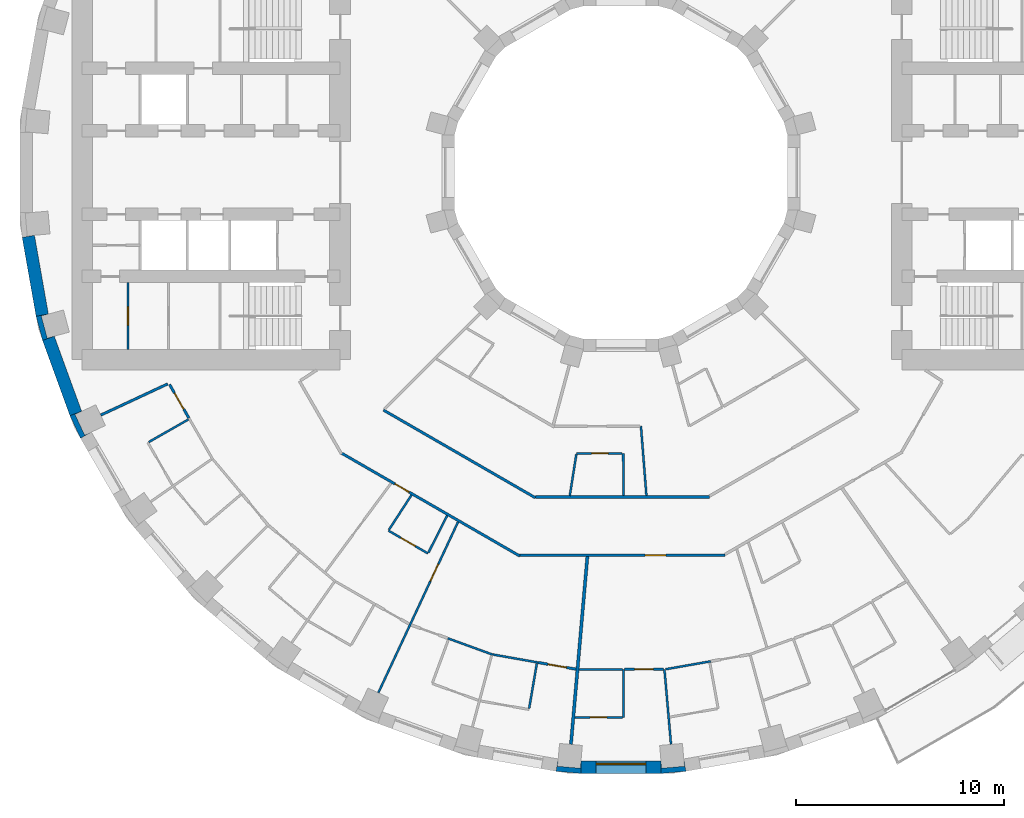
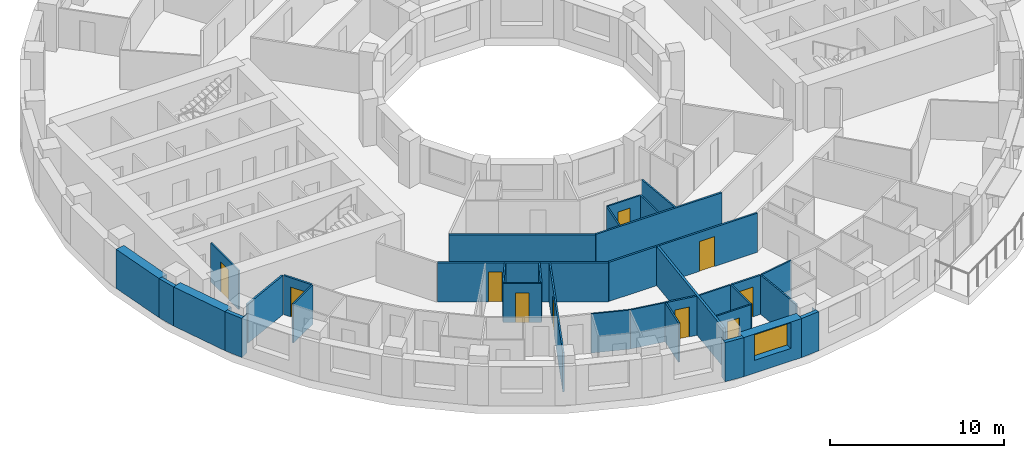
# One storey, part 5 of 15: 34 walls, 10 doors, 1 window, 11 openings.
"""IFC4 building model written with IfcOpenShell, lengths in metres."""

from ifc_helpers import new_model, si_unit, direction, frame, frame_2d, origin, place, context, subcontext, project, spatial, polyline, rectangle, outline, extrude, material, layer, layer_set, type_object, element, fill, save


model = new_model("IFC4")

# Units and contexts
model_context = context("Model", 3, precision=1e-05, world=origin(), true_north=direction((0.0, 1.0)))
body_context = subcontext(model_context, "Body", "Model", "MODEL_VIEW")
ifc_project = project(units=[si_unit("LENGTHUNIT", "METRE"), si_unit("AREAUNIT", "SQUARE_METRE"), si_unit("VOLUMEUNIT", "CUBIC_METRE"), si_unit("PLANEANGLEUNIT", "RADIAN"), si_unit("MASSUNIT", "GRAM", prefix="KILO")], contexts=[model_context])

# Site, building, storey
site_placement = place(None, origin())
site = spatial("IfcSite", under=ifc_project, at=site_placement, CompositionType="ELEMENT")
building_placement = place(site_placement, origin())
building = spatial("IfcBuilding", under=site, at=building_placement, Name="Saqina Gate Tower", CompositionType="ELEMENT")
storey_placement = place(building_placement, frame((0.0, 0.0, 42.800048828125)))
storey = spatial("IfcBuildingStorey", under=building, at=storey_placement, Name="L11", CompositionType="ELEMENT", Elevation=42.800048828125)

# Walls
ifc_material_1 = material(Name="Brick masonry (red)", Category="masonry")
wall_type_1 = type_object("IfcWallType", Name="BRICK PIER COPING RED", PredefinedType="SOLIDWALL", material=ifc_material_1)
wall_1_placement = place(storey_placement, origin())
element("IfcWall", 1, at=wall_1_placement, inside=storey, type_object=wall_type_1, Name="Pier cap L11 column 20", PredefinedType="SOLIDWALL", context=body_context, shape_type="SweptSolid", body=[
    extrude(outline(polyline([(-28.11669921875, -6.910400390625), (-27.80517578125, -8.073974609375), (-27.2412109375, -7.86865234375), (-27.57958984375, -7.95947265625), (-27.864501953125, -6.896728515625), (-27.52587890625, -6.80615234375), (-28.11669921875, -6.910400390625)])), origin(), (0.0, 0.0, 1.0), 2.75),
])
wall_2_placement = place(storey_placement, origin())
element("IfcWall", 2, at=wall_2_placement, inside=storey, type_object=wall_type_1, Name="Pier cap L11 column 21", PredefinedType="SOLIDWALL", context=body_context, shape_type="SweptSolid", body=[
    extrude(outline(polyline([(-25.980712890625, -12.779541015625), (-25.4609375, -12.4794921875), (-25.778564453125, -12.627685546875), (-26.243408203125, -11.630615234375), (-25.92578125, -11.482666015625), (-26.48974609375, -11.687744140625), (-25.980712890625, -12.779541015625)])), origin(), (0.0, 0.0, 1.0), 2.75),
])
wall_3_placement = place(storey_placement, origin())
element("IfcWall", 3, at=wall_3_placement, inside=storey, type_object=wall_type_1, Name="Pier cap L11 column 27", PredefinedType="SOLIDWALL", context=body_context, shape_type="SweptSolid", body=[
    extrude(outline(polyline([(-3.122802734375, -28.78466796875), (-1.9228515625, -28.8896484375), (-1.9228515625, -28.28955078125), (-1.95361328125, -28.638671875), (-3.04931640625, -28.54296875), (-3.018798828125, -28.19384765625), (-3.122802734375, -28.78466796875)])), origin(), (0.0, 0.0, 1.0), 2.75),
])
wall_4_placement = place(storey_placement, origin())
element("IfcWall", 4, at=wall_4_placement, inside=storey, type_object=wall_type_1, Name="Pier cap L11 column 28", PredefinedType="SOLIDWALL", context=body_context, shape_type="SweptSolid", body=[
    extrude(outline(polyline([(1.9228515625, -28.8896484375), (3.122802734375, -28.78466796875), (3.018798828125, -28.19384765625), (3.04931640625, -28.54296875), (1.95361328125, -28.638671875), (1.9228515625, -28.28955078125), (1.9228515625, -28.8896484375)])), origin(), (0.0, 0.0, 1.0), 2.75),
])

# Wall, opening, door
ifc_material_2 = material(Name="Gypsum board on steel studs", Category="steel")
ifc_layer_1 = layer(ifc_material_2, 0.10009765625)
ifc_layer_set_1 = layer_set([ifc_layer_1], Name="CORE PARTITION")
wall_type_2 = type_object("IfcWallType", Name="CORE PARTITION", PredefinedType="PARTITIONING", material=ifc_layer_set_1)
wall_5_placement = place(storey_placement, frame((-23.697509765625, -8.5, 0.0), z_axis=(0.0, 0.0, 1.0), x_axis=(0.0, 1.0, 0.0)))
wall_5 = element("IfcWall", 5, at=wall_5_placement, inside=storey, type_object=wall_type_2, Name="L11-CP-W14", PredefinedType="PARTITIONING", context=body_context, shape_type="SweptSolid", body=[
    extrude(rectangle(XDim=3.199951171875, YDim=0.10009765625, at=frame_2d((1.60009765625, 0.0))), origin(), (0.0, 0.0, 1.0), 2.75),
])
opening_1_placement = place(wall_5_placement, frame((1.14990234375, 0.0, 0.0)))
opening_1 = element("IfcOpeningElement", 6, at=opening_1_placement, cuts=wall_5, Name="Opening G02-D115", PredefinedType="OPENING", context=body_context, shape_type="SweptSolid", body=[
    extrude(rectangle(XDim=0.89990234375, YDim=2.10009765625, at=frame_2d((0.449951171875, 1.050048828125))), frame((0.0, 0.06201171875, 0.0), z_axis=(0.0, -1.0, 0.0), x_axis=(1.0, 0.0, 0.0)), (0.0, 0.0, 1.0), 0.1240234375),
])
ifc_material_3 = material(Name="Steel-framed fire door leaf, EI 60", Category="steel")
door_type_1 = type_object("IfcDoorType", Name="SERVICE ROOM DOOR 900", OperationType="SINGLE_SWING_LEFT", PredefinedType="DOOR", material=ifc_material_3)
door_1_placement = place(opening_1_placement, frame((0.89990234375, 0.0, 0.0), z_axis=(0.0, 0.0, 1.0), x_axis=(-1.0, 0.0, 0.0)))
door_1 = element("IfcDoor", 7, at=door_1_placement, inside=storey, type_object=door_type_1, Name="L11-CD-W26", OperationType="SINGLE_SWING_RIGHT", OverallHeight=2.10009765625, OverallWidth=0.89990234375, PredefinedType="DOOR", context=body_context, shape_type="SweptSolid", body=[
    extrude(rectangle(XDim=0.89990234375, YDim=2.10009765625, at=frame_2d((0.449951171875, 1.050048828125))), frame((0.0, 0.02490234375, 0.0), z_axis=(0.0, -1.0, 0.0), x_axis=(1.0, 0.0, 0.0)), (0.0, 0.0, 1.0), 0.050048828125),
])
fill(opening_1, door_1)

# Wall, opening, window
ifc_material_4 = material(Name="Brick masonry (red)", Category="masonry")
ifc_layer_2 = layer(ifc_material_4, 0.60009765625)
ifc_layer_set_2 = layer_set([ifc_layer_2], Name="FW-BRICK-RED")
wall_type_3 = type_object("IfcWallType", Name="FW-BRICK-RED", PredefinedType="SOLIDWALL", material=ifc_layer_set_2)
wall_6_placement = place(storey_placement, frame((-1.9228515625, -28.589599609375, 0.0), z_axis=(0.0, 0.0, 1.0), x_axis=(1.0, 0.0, 0.0)))
wall_6 = element("IfcWall", 8, at=wall_6_placement, inside=storey, type_object=wall_type_3, Name="Facade wall L11 facet 27", PredefinedType="SOLIDWALL", context=body_context, shape_type="SweptSolid", body=[
    extrude(rectangle(XDim=3.845703125, YDim=0.60009765625, at=frame_2d((1.9228515625, 0.0))), origin(), (0.0, 0.0, 1.0), 2.75),
])
opening_2_placement = place(wall_6_placement, frame((0.722900390625, 0.0, 0.89990234375)))
opening_2 = element("IfcOpeningElement", 9, at=opening_2_placement, cuts=wall_6, Name="Opening G02-W20", PredefinedType="OPENING", context=body_context, shape_type="SweptSolid", body=[
    extrude(rectangle(XDim=2.39990234375, YDim=1.800048828125, at=frame_2d((1.199951171875, 0.89990234375))), frame((0.0, 0.31201171875, 0.0), z_axis=(0.0, -1.0, 0.0), x_axis=(1.0, 0.0, 0.0)), (0.0, 0.0, 1.0), 0.6240234375),
])
ifc_material_5 = material(Name="Aluminium glazing", Category="aluminium")
window_type = type_object("IfcWindowType", Name="WN-A", PartitioningType="SINGLE_PANEL", PredefinedType="WINDOW", material=ifc_material_5)
window_placement = place(opening_2_placement, origin())
window = element("IfcWindow", 10, at=window_placement, inside=storey, type_object=window_type, Name="Window L11 facet 27", OverallHeight=1.800048828125, OverallWidth=2.39990234375, PartitioningType="SINGLE_PANEL", PredefinedType="WINDOW", context=body_context, shape_type="SweptSolid", body=[
    extrude(rectangle(XDim=2.39990234375, YDim=1.800048828125, at=frame_2d((1.199951171875, 0.89990234375))), frame((0.0, 0.179931640625, 0.0), z_axis=(0.0, -1.0, 0.0), x_axis=(1.0, 0.0, 0.0)), (0.0, 0.0, 1.0), 0.06005859375),
])
fill(opening_2, window)

# Walls
ifc_material_6 = material(Name="Glazed ceramic tile", Category="ceramic")
ifc_layer_3 = layer(ifc_material_6, 0.60009765625)
ifc_layer_set_3 = layer_set([ifc_layer_3], Name="FW-TILE")
wall_type_4 = type_object("IfcWallType", Name="FW-TILE", PredefinedType="SOLIDWALL", material=ifc_layer_set_3)
wall_7_placement = place(storey_placement, frame((-27.523193359375, -7.97119140625, 0.0), z_axis=(0.0, 0.0, 1.0), x_axis=(0.342028474173, -0.939689588564, 0.0)))
element("IfcWall", 11, at=wall_7_placement, inside=storey, type_object=wall_type_4, Name="Facade wall L11 facet 20", PredefinedType="SOLIDWALL", context=body_context, shape_type="SweptSolid", body=[
    extrude(rectangle(XDim=3.845947265625, YDim=0.60009765625, at=frame_2d((1.9228515625, 0.0))), origin(), (0.0, 0.0, 1.0), 2.75),
])
ifc_material_7 = material(Name="Glazed ceramic tile (dark blue)", Category="ceramic")
ifc_layer_4 = layer(ifc_material_7, 0.60009765625)
ifc_layer_set_4 = layer_set([ifc_layer_4], Name="FW-TILE-CB")
wall_type_5 = type_object("IfcWallType", Name="FW-TILE-CB", PredefinedType="SOLIDWALL", material=ifc_layer_set_4)
wall_8_placement = place(storey_placement, frame((-28.4892578125, -3.07080078125, 0.0), z_axis=(0.0, 0.0, 1.0), x_axis=(0.173687553279, -0.984800809218, 0.0)))
element("IfcWall", 12, at=wall_8_placement, inside=storey, type_object=wall_type_5, Name="Facade wall L11 facet 19", PredefinedType="SOLIDWALL", context=body_context, shape_type="SweptSolid", body=[
    extrude(rectangle(XDim=3.845703125, YDim=0.60009765625, at=frame_2d((1.9228515625, 0.0))), origin(), (0.0, 0.0, 1.0), 2.75),
])
ifc_material_8 = material(Name="Gypsum board on steel studs, 100 mm", Category="steel")
ifc_layer_5 = layer(ifc_material_8, 0.10009765625)
ifc_layer_set_5 = layer_set([ifc_layer_5], Name="PARTITION 100")
wall_type_6 = type_object("IfcWallType", Name="PARTITION 100", PredefinedType="PARTITIONING", material=ifc_layer_set_5)
wall_9_placement = place(storey_placement, frame((0.114990234375, -23.889892578125, 0.0), z_axis=(0.0, 0.0, 1.0), x_axis=(0.004776508509, -0.999988592418, 0.0)))
element("IfcWall", 13, at=wall_9_placement, inside=storey, type_object=wall_type_6, Name="PARTITION PW3-01", PredefinedType="PARTITIONING", context=body_context, shape_type="SweptSolid", body=[
    extrude(rectangle(XDim=2.300048828125, YDim=0.10009765625, at=frame_2d((1.14990234375, 0.0))), origin(), (0.0, 0.0, 1.0), 2.75),
])
wall_10_placement = place(storey_placement, frame((0.10791015625, -13.5, 0.0), z_axis=(0.0, 0.0, 1.0), x_axis=(0.008147345204, -0.999966809832, 0.0)))
element("IfcWall", 14, at=wall_10_placement, inside=storey, type_object=wall_type_6, Name="PARTITION PW3-02", PredefinedType="PARTITIONING", context=body_context, shape_type="SweptSolid", body=[
    extrude(rectangle(XDim=2.03759765625, YDim=0.10009765625, at=frame_2d((1.018798828125, 0.0))), origin(), (0.0, 0.0, 1.0), 2.75),
])
wall_11_placement = place(storey_placement, frame((0.9599609375, -12.199951171875, 0.0), z_axis=(0.0, 0.0, 1.0), x_axis=(0.078609037554, -0.996905521709, 0.0)))
element("IfcWall", 15, at=wall_11_placement, inside=storey, type_object=wall_type_6, Name="PARTITION PW3-03", PredefinedType="PARTITIONING", context=body_context, shape_type="SweptSolid", body=[
    extrude(rectangle(XDim=3.347900390625, YDim=0.10009765625, at=frame_2d((1.673828125, 0.0))), origin(), (0.0, 0.0, 1.0), 2.75),
])
wall_12_placement = place(storey_placement, frame((2.090087890625, -23.889892578125, 0.0), z_axis=(0.0, 0.0, 1.0), x_axis=(0.08706456859, -0.996202670593, 0.0)))
element("IfcWall", 16, at=wall_12_placement, inside=storey, type_object=wall_type_6, Name="PARTITION PW3-06", PredefinedType="PARTITIONING", context=body_context, shape_type="SweptSolid", body=[
    extrude(rectangle(XDim=3.60888671875, YDim=0.10009765625, at=frame_2d((1.804443359375, 0.0))), origin(), (0.0, 0.0, 1.0), 2.75),
])

# Wall, opening, door
wall_13_placement = place(storey_placement, frame((-11.179931640625, -17.216064453125, 0.0), z_axis=(0.0, 0.0, 1.0), x_axis=(0.865970937006, -0.500094327363, 0.0)))
wall_13 = element("IfcWall", 17, at=wall_13_placement, inside=storey, type_object=wall_type_6, Name="PARTITION PW3-42", PredefinedType="PARTITIONING", context=body_context, shape_type="SweptSolid", body=[
    extrude(rectangle(XDim=2.197265625, YDim=0.10009765625, at=frame_2d((1.0986328125, 0.0))), origin(), (0.0, 0.0, 1.0), 2.75),
])
opening_3_placement = place(wall_13_placement, frame((0.69873046875, 0.0, 0.0)))
opening_3 = element("IfcOpeningElement", 18, at=opening_3_placement, cuts=wall_13, Name="Opening G02-D42", PredefinedType="OPENING", context=body_context, shape_type="SweptSolid", body=[
    extrude(rectangle(XDim=0.800048828125, YDim=2.10009765625, at=frame_2d((0.39990234375, 1.050048828125))), frame((0.0, 0.06201171875, 0.0), z_axis=(0.0, -1.0, 0.0), x_axis=(1.0, 0.0, 0.0)), (0.0, 0.0, 1.0), 0.1240234375),
])
ifc_material_9 = material(Name="Timber door leaf, 800 mm", Category="wood")
door_type_2 = type_object("IfcDoorType", Name="DOOR 800 TIMBER", OperationType="SINGLE_SWING_LEFT", PredefinedType="DOOR", material=ifc_material_9)
door_2_placement = place(opening_3_placement, frame((0.800048828125, 0.0, 0.0), z_axis=(0.0, 0.0, 1.0), x_axis=(-1.0, 0.0, 0.0)))
door_2 = element("IfcDoor", 19, at=door_2_placement, inside=storey, type_object=door_type_2, Name="DOOR G02-D42", OperationType="SINGLE_SWING_LEFT", OverallHeight=2.10009765625, OverallWidth=0.800048828125, PredefinedType="DOOR", context=body_context, shape_type="SweptSolid", body=[
    extrude(rectangle(XDim=0.800048828125, YDim=2.10009765625, at=frame_2d((0.39990234375, 1.050048828125))), frame((0.0, 0.02490234375, 0.0), z_axis=(0.0, -1.0, 0.0), x_axis=(1.0, 0.0, 0.0)), (0.0, 0.0, 1.0), 0.050048828125),
])
fill(opening_3, door_2)

# Walls
wall_14_placement = place(storey_placement, frame((-8.325927734375, -22.392822265625, 0.0), z_axis=(0.0, 0.0, 1.0), x_axis=(0.939700645731, -0.341998094165, 0.0)))
element("IfcWall", 20, at=wall_14_placement, inside=storey, type_object=wall_type_6, Name="PARTITION PW3-50", PredefinedType="PARTITIONING", context=body_context, shape_type="SweptSolid", body=[
    extrude(rectangle(XDim=2.3056640625, YDim=0.10009765625, at=frame_2d((1.15283203125, 0.0))), origin(), (0.0, 0.0, 1.0), 2.75),
])
wall_15_placement = place(storey_placement, frame((-6.15771484375, -23.172607421875, 0.0), z_axis=(0.0, 0.0, 1.0), x_axis=(0.984800270927, -0.173690605338, 0.0)))
element("IfcWall", 21, at=wall_15_placement, inside=storey, type_object=wall_type_6, Name="PARTITION PW3-54", PredefinedType="PARTITIONING", context=body_context, shape_type="SweptSolid", body=[
    extrude(rectangle(XDim=2.205322265625, YDim=0.10009765625, at=frame_2d((1.1025390625, 0.0))), origin(), (0.0, 0.0, 1.0), 2.75),
])

# Wall, opening, door
wall_16_placement = place(storey_placement, frame((-2.216064453125, -26.18994140625, 0.0), z_axis=(0.0, 0.0, 1.0), x_axis=(1.0, 0.0, 0.0)))
wall_16 = element("IfcWall", 22, at=wall_16_placement, inside=storey, type_object=wall_type_6, Name="PARTITION PW3-57", PredefinedType="PARTITIONING", context=body_context, shape_type="SweptSolid", body=[
    extrude(rectangle(XDim=2.2919921875, YDim=0.10009765625, at=frame_2d((1.14599609375, 0.0))), origin(), (0.0, 0.0, 1.0), 2.75),
])
opening_4_placement = place(wall_16_placement, frame((0.7333984375, 0.0, 0.0)))
opening_4 = element("IfcOpeningElement", 23, at=opening_4_placement, cuts=wall_16, Name="Opening G02-D52", PredefinedType="OPENING", context=body_context, shape_type="SweptSolid", body=[
    extrude(rectangle(XDim=0.800048828125, YDim=2.10009765625, at=frame_2d((0.39990234375, 1.050048828125))), frame((0.0, 0.06201171875, 0.0), z_axis=(0.0, -1.0, 0.0), x_axis=(1.0, 0.0, 0.0)), (0.0, 0.0, 1.0), 0.1240234375),
])
door_3_placement = place(opening_4_placement, frame((0.800048828125, 0.0, 0.0), z_axis=(0.0, 0.0, 1.0), x_axis=(-1.0, 0.0, 0.0)))
door_3 = element("IfcDoor", 24, at=door_3_placement, inside=storey, type_object=door_type_2, Name="DOOR G02-D52", OperationType="SINGLE_SWING_RIGHT", OverallHeight=2.10009765625, OverallWidth=0.800048828125, PredefinedType="DOOR", context=body_context, shape_type="SweptSolid", body=[
    extrude(rectangle(XDim=0.800048828125, YDim=2.10009765625, at=frame_2d((0.39990234375, 1.050048828125))), frame((0.0, 0.02490234375, 0.0), z_axis=(0.0, -1.0, 0.0), x_axis=(1.0, 0.0, 0.0)), (0.0, 0.0, 1.0), 0.050048828125),
])
fill(opening_4, door_3)

# Wall
wall_17_placement = place(storey_placement, frame((-2.014892578125, -23.889892578125, 0.0), z_axis=(0.0, 0.0, 1.0), x_axis=(1.0, 0.0, 0.0)))
element("IfcWall", 25, at=wall_17_placement, inside=storey, type_object=wall_type_6, Name="PARTITION PW3-58", PredefinedType="PARTITIONING", context=body_context, shape_type="SweptSolid", body=[
    extrude(rectangle(XDim=2.079833984375, YDim=0.10009765625, at=frame_2d((1.0400390625, 0.0))), origin(), (0.0, 0.0, 1.0), 2.75),
])

# Wall, opening, door
wall_18_placement = place(storey_placement, frame((-2.137939453125, -13.5, 0.0), z_axis=(0.0, 0.0, 1.0), x_axis=(1.0, 0.0, 0.0)))
wall_18 = element("IfcWall", 26, at=wall_18_placement, inside=storey, type_object=wall_type_6, Name="PARTITION PW3-59", PredefinedType="PARTITIONING", context=body_context, shape_type="SweptSolid", body=[
    extrude(rectangle(XDim=2.196044921875, YDim=0.10009765625, at=frame_2d((1.09814453125, 0.0))), origin(), (0.0, 0.0, 1.0), 2.75),
])
opening_5_placement = place(wall_18_placement, frame((0.722900390625, 0.0, 0.0)))
opening_5 = element("IfcOpeningElement", 27, at=opening_5_placement, cuts=wall_18, Name="Opening G02-D51", PredefinedType="OPENING", context=body_context, shape_type="SweptSolid", body=[
    extrude(rectangle(XDim=0.800048828125, YDim=2.10009765625, at=frame_2d((0.39990234375, 1.050048828125))), frame((0.0, 0.06201171875, 0.0), z_axis=(0.0, -1.0, 0.0), x_axis=(1.0, 0.0, 0.0)), (0.0, 0.0, 1.0), 0.1240234375),
])
door_4_placement = place(opening_5_placement, origin())
door_4 = element("IfcDoor", 28, at=door_4_placement, inside=storey, type_object=door_type_2, Name="DOOR G02-D51", OperationType="SINGLE_SWING_RIGHT", OverallHeight=2.10009765625, OverallWidth=0.800048828125, PredefinedType="DOOR", context=body_context, shape_type="SweptSolid", body=[
    extrude(rectangle(XDim=0.800048828125, YDim=2.10009765625, at=frame_2d((0.39990234375, 1.050048828125))), frame((0.0, 0.02490234375, 0.0), z_axis=(0.0, -1.0, 0.0), x_axis=(1.0, 0.0, 0.0)), (0.0, 0.0, 1.0), 0.050048828125),
])
fill(opening_5, door_4)

# Walls
wall_19_placement = place(storey_placement, frame((2.151611328125, -23.879150390625, 0.0), z_axis=(0.0, 0.0, 1.0), x_axis=(0.984803725636, 0.173671016504, 0.0)))
element("IfcWall", 29, at=wall_19_placement, inside=storey, type_object=wall_type_6, Name="PARTITION PW3-66", PredefinedType="PARTITIONING", context=body_context, shape_type="SweptSolid", body=[
    extrude(rectangle(XDim=2.193115234375, YDim=0.10009765625, at=frame_2d((1.0966796875, 0.0))), origin(), (0.0, 0.0, 1.0), 2.75),
])
wall_20_placement = place(storey_placement, frame((-22.70068359375, -12.960205078125, 0.0), z_axis=(0.0, 0.0, 1.0), x_axis=(0.86847529617, 0.495732447942, 0.0)))
element("IfcWall", 30, at=wall_20_placement, inside=storey, type_object=wall_type_6, Name="PARTITION PW3-73", PredefinedType="PARTITIONING", context=body_context, shape_type="SweptSolid", body=[
    extrude(rectangle(XDim=2.199462890625, YDim=0.10009765625, at=frame_2d((1.099609375, 0.0))), origin(), (0.0, 0.0, 1.0), 2.75),
])
wall_21_placement = place(storey_placement, frame((-11.15283203125, -17.174072265625, 0.0), z_axis=(0.0, 0.0, 1.0), x_axis=(0.544664848093, 0.838653804172, 0.0)))
element("IfcWall", 31, at=wall_21_placement, inside=storey, type_object=wall_type_6, Name="PARTITION PW3-99", PredefinedType="PARTITIONING", context=body_context, shape_type="SweptSolid", body=[
    extrude(rectangle(XDim=1.98974609375, YDim=0.10009765625, at=frame_2d((0.994873046875, 0.0))), origin(), (0.0, 0.0, 1.0), 2.75),
])
wall_22_placement = place(storey_placement, frame((-9.25439453125, -18.2705078125, 0.0), z_axis=(0.0, 0.0, 1.0), x_axis=(0.451770869898, 0.89213400401, 0.0)))
element("IfcWall", 32, at=wall_22_placement, inside=storey, type_object=wall_type_6, Name="PARTITION PW3-102", PredefinedType="PARTITIONING", context=body_context, shape_type="SweptSolid", body=[
    extrude(rectangle(XDim=1.990234375, YDim=0.10009765625, at=frame_2d((0.9951171875, 0.0))), origin(), (0.0, 0.0, 1.0), 2.75),
])

# Wall, opening, door
wall_23_placement = place(storey_placement, frame((-11.660400390625, -25.0048828125, 0.0), z_axis=(0.0, 0.0, 1.0), x_axis=(0.422646386434, 0.906294671745, 0.0)))
wall_23 = element("IfcWall", 33, at=wall_23_placement, inside=storey, type_object=wall_type_6, Name="PARTITION PW3-104", PredefinedType="PARTITIONING", context=body_context, shape_type="SweptSolid", body=[
    extrude(rectangle(XDim=9.056884765625, YDim=0.10009765625, at=frame_2d((4.5283203125, 0.0))), origin(), (0.0, 0.0, 1.0), 2.75),
])
opening_6_placement = place(wall_23_placement, frame((5.914306640625, 0.0, 0.0)))
opening_6 = element("IfcOpeningElement", 34, at=opening_6_placement, cuts=wall_23, Name="Opening G02-D45", PredefinedType="OPENING", context=body_context, shape_type="SweptSolid", body=[
    extrude(rectangle(XDim=0.89990234375, YDim=2.10009765625, at=frame_2d((0.449951171875, 1.050048828125))), frame((0.0, 0.06201171875, 0.0), z_axis=(0.0, -1.0, 0.0), x_axis=(1.0, 0.0, 0.0)), (0.0, 0.0, 1.0), 0.1240234375),
])
ifc_material_10 = material(Name="Timber door leaf, 900 mm", Category="wood")
door_type_3 = type_object("IfcDoorType", Name="DOOR 900 TIMBER", OperationType="SINGLE_SWING_LEFT", PredefinedType="DOOR", material=ifc_material_10)
door_5_placement = place(opening_6_placement, frame((0.89990234375, 0.0, 0.0), z_axis=(0.0, 0.0, 1.0), x_axis=(-1.0, 0.0, 0.0)))
door_5 = element("IfcDoor", 35, at=door_5_placement, inside=storey, type_object=door_type_3, Name="DOOR G02-D45", OperationType="SINGLE_SWING_LEFT", OverallHeight=2.10009765625, OverallWidth=0.89990234375, PredefinedType="DOOR", context=body_context, shape_type="SweptSolid", body=[
    extrude(rectangle(XDim=0.89990234375, YDim=2.10009765625, at=frame_2d((0.449951171875, 1.050048828125))), frame((0.0, 0.02490234375, 0.0), z_axis=(0.0, -1.0, 0.0), x_axis=(1.0, 0.0, 0.0)), (0.0, 0.0, 1.0), 0.050048828125),
])
fill(opening_6, door_5)

# Walls
wall_24_placement = place(storey_placement, frame((-4.41455078125, -25.7646484375, 0.0), z_axis=(0.0, 0.0, 1.0), x_axis=(0.168650911642, 0.985675844283, 0.0)))
element("IfcWall", 36, at=wall_24_placement, inside=storey, type_object=wall_type_6, Name="PARTITION PW3-110", PredefinedType="PARTITIONING", context=body_context, shape_type="SweptSolid", body=[
    extrude(rectangle(XDim=2.187255859375, YDim=0.10009765625, at=frame_2d((1.09375, 0.0))), origin(), (0.0, 0.0, 1.0), 2.75),
])
wall_25_placement = place(storey_placement, frame((-2.461181640625, -15.538330078125, 0.0), z_axis=(0.0, 0.0, 1.0), x_axis=(0.156628645525, 0.98765756586, 0.0)))
element("IfcWall", 37, at=wall_25_placement, inside=storey, type_object=wall_type_6, Name="PARTITION PW3-111", PredefinedType="PARTITIONING", context=body_context, shape_type="SweptSolid", body=[
    extrude(rectangle(XDim=2.013916015625, YDim=0.10009765625, at=frame_2d((1.0068359375, 0.0))), origin(), (0.0, 0.0, 1.0), 2.75),
])

# Wall, opening, door
ifc_material_11 = material(Name="Gypsum board on steel studs, 125 mm, fire rated", Category="steel")
ifc_layer_6 = layer(ifc_material_11, 0.125)
ifc_layer_set_6 = layer_set([ifc_layer_6], Name="PARTITION EI 30 125")
wall_type_7 = type_object("IfcWallType", Name="PARTITION EI 30 125", PredefinedType="PARTITIONING", material=ifc_layer_set_6)
wall_26_placement = place(storey_placement, frame((-21.70263671875, -10.189208984375, 0.0), z_axis=(0.0, 0.0, 1.0), x_axis=(0.499862453367, -0.866104801807, 0.0)))
wall_26 = element("IfcWall", 38, at=wall_26_placement, inside=storey, type_object=wall_type_7, Name="PARTITION PW1-02", PredefinedType="PARTITIONING", context=body_context, shape_type="SweptSolid", body=[
    extrude(rectangle(XDim=1.86181640625, YDim=0.125, at=frame_2d((0.930908203125, 0.0))), origin(), (0.0, 0.0, 1.0), 2.75),
])
opening_7_placement = place(wall_26_placement, frame((0.475830078125, 0.0, 0.0)))
opening_7 = element("IfcOpeningElement", 39, at=opening_7_placement, cuts=wall_26, Name="Opening G02-D32", PredefinedType="OPENING", context=body_context, shape_type="SweptSolid", body=[
    extrude(rectangle(XDim=0.89990234375, YDim=2.10009765625, at=frame_2d((0.449951171875, 1.050048828125))), frame((0.0, 0.074462890625, 0.0), z_axis=(0.0, -1.0, 0.0), x_axis=(1.0, 0.0, 0.0)), (0.0, 0.0, 1.0), 0.14892578125),
])
ifc_material_12 = material(Name="Fire door leaf EI 30, 900 mm")
door_type_4 = type_object("IfcDoorType", Name="DOOR 900 EI 30", OperationType="SINGLE_SWING_LEFT", PredefinedType="DOOR", material=ifc_material_12)
door_6_placement = place(opening_7_placement, origin())
door_6 = element("IfcDoor", 40, at=door_6_placement, inside=storey, type_object=door_type_4, Name="DOOR G02-D32", OperationType="SINGLE_SWING_LEFT", OverallHeight=2.10009765625, OverallWidth=0.89990234375, PredefinedType="DOOR", context=body_context, shape_type="SweptSolid", body=[
    extrude(rectangle(XDim=0.89990234375, YDim=2.10009765625, at=frame_2d((0.449951171875, 1.050048828125))), frame((0.0, 0.02490234375, 0.0), z_axis=(0.0, -1.0, 0.0), x_axis=(1.0, 0.0, 0.0)), (0.0, 0.0, 1.0), 0.050048828125),
])
fill(opening_7, door_6)

wall_27_placement = place(storey_placement, frame((-13.415771484375, -13.501220703125, 0.0), z_axis=(0.0, 0.0, 1.0), x_axis=(0.86605048973, -0.49995654735, 0.0)))
wall_27 = element("IfcWall", 41, at=wall_27_placement, inside=storey, type_object=wall_type_7, Name="PARTITION PW1-16", PredefinedType="PARTITIONING", context=body_context, shape_type="SweptSolid", body=[
    extrude(rectangle(XDim=9.87060546875, YDim=0.125, at=frame_2d((4.935302734375, 0.0))), origin(), (0.0, 0.0, 1.0), 2.75),
])
opening_8_placement = place(wall_27_placement, frame((2.9375, 0.0, 0.0)))
opening_8 = element("IfcOpeningElement", 42, at=opening_8_placement, cuts=wall_27, Name="Opening G02-D40", PredefinedType="OPENING", context=body_context, shape_type="SweptSolid", body=[
    extrude(rectangle(XDim=0.800048828125, YDim=2.10009765625, at=frame_2d((0.39990234375, 1.050048828125))), frame((0.0, 0.074462890625, 0.0), z_axis=(0.0, -1.0, 0.0), x_axis=(1.0, 0.0, 0.0)), (0.0, 0.0, 1.0), 0.14892578125),
])
ifc_material_13 = material(Name="Fire door leaf EI 30, 800 mm")
door_type_5 = type_object("IfcDoorType", Name="DOOR 800 EI 30", OperationType="SINGLE_SWING_LEFT", PredefinedType="DOOR", material=ifc_material_13)
door_7_placement = place(opening_8_placement, frame((0.800048828125, 0.0, 0.0), z_axis=(0.0, 0.0, 1.0), x_axis=(-1.0, 0.0, 0.0)))
door_7 = element("IfcDoor", 43, at=door_7_placement, inside=storey, type_object=door_type_5, Name="DOOR G02-D40", OperationType="SINGLE_SWING_RIGHT", OverallHeight=2.10009765625, OverallWidth=0.800048828125, PredefinedType="DOOR", context=body_context, shape_type="SweptSolid", body=[
    extrude(rectangle(XDim=0.800048828125, YDim=2.10009765625, at=frame_2d((0.39990234375, 1.050048828125))), frame((0.0, 0.02490234375, 0.0), z_axis=(0.0, -1.0, 0.0), x_axis=(1.0, 0.0, 0.0)), (0.0, 0.0, 1.0), 0.050048828125),
])
fill(opening_8, door_7)

# Wall
wall_28_placement = place(storey_placement, frame((-11.419921875, -11.419921875, 0.0), z_axis=(0.0, 0.0, 1.0), x_axis=(0.866026957163, -0.49999730946, 0.0)))
element("IfcWall", 44, at=wall_28_placement, inside=storey, type_object=wall_type_7, Name="PARTITION PW1-17", PredefinedType="PARTITIONING", context=body_context, shape_type="SweptSolid", body=[
    extrude(rectangle(XDim=8.43212890625, YDim=0.125, at=frame_2d((4.216064453125, 0.0))), origin(), (0.0, 0.0, 1.0), 2.75),
])

# Wall, opening, door
wall_29_placement = place(storey_placement, frame((-3.98583984375, -23.5556640625, 0.0), z_axis=(0.0, 0.0, 1.0), x_axis=(0.984806134001, -0.173657359285, 0.0)))
wall_29 = element("IfcWall", 45, at=wall_29_placement, inside=storey, type_object=wall_type_7, Name="PARTITION PW1-24", PredefinedType="PARTITIONING", context=body_context, shape_type="SweptSolid", body=[
    extrude(rectangle(XDim=1.85009765625, YDim=0.125, at=frame_2d((0.925048828125, 0.0))), origin(), (0.0, 0.0, 1.0), 2.75),
])
opening_9_placement = place(wall_29_placement, frame((0.487548828125, 0.0, 0.0)))
opening_9 = element("IfcOpeningElement", 46, at=opening_9_placement, cuts=wall_29, Name="Opening G02-D49", PredefinedType="OPENING", context=body_context, shape_type="SweptSolid", body=[
    extrude(rectangle(XDim=0.89990234375, YDim=2.10009765625, at=frame_2d((0.449951171875, 1.050048828125))), frame((0.0, 0.074462890625, 0.0), z_axis=(0.0, -1.0, 0.0), x_axis=(1.0, 0.0, 0.0)), (0.0, 0.0, 1.0), 0.14892578125),
])
door_8_placement = place(opening_9_placement, origin())
door_8 = element("IfcDoor", 47, at=door_8_placement, inside=storey, type_object=door_type_4, Name="DOOR G02-D49", OperationType="SINGLE_SWING_RIGHT", OverallHeight=2.10009765625, OverallWidth=0.89990234375, PredefinedType="DOOR", context=body_context, shape_type="SweptSolid", body=[
    extrude(rectangle(XDim=0.89990234375, YDim=2.10009765625, at=frame_2d((0.449951171875, 1.050048828125))), frame((0.0, 0.02490234375, 0.0), z_axis=(0.0, -1.0, 0.0), x_axis=(1.0, 0.0, 0.0)), (0.0, 0.0, 1.0), 0.050048828125),
])
fill(opening_9, door_8)

wall_30_placement = place(storey_placement, frame((0.1650390625, -23.889892578125, 0.0), z_axis=(0.0, 0.0, 1.0), x_axis=(1.0, 0.0, 0.0)))
wall_30 = element("IfcWall", 48, at=wall_30_placement, inside=storey, type_object=wall_type_7, Name="PARTITION PW1-26", PredefinedType="PARTITIONING", context=body_context, shape_type="SweptSolid", body=[
    extrude(rectangle(XDim=1.875, YDim=0.125, at=frame_2d((0.9375, 0.0))), origin(), (0.0, 0.0, 1.0), 2.75),
])
opening_10_placement = place(wall_30_placement, frame((0.487548828125, 0.0, 0.0)))
opening_10 = element("IfcOpeningElement", 49, at=opening_10_placement, cuts=wall_30, Name="Opening G02-D53", PredefinedType="OPENING", context=body_context, shape_type="SweptSolid", body=[
    extrude(rectangle(XDim=0.89990234375, YDim=2.10009765625, at=frame_2d((0.449951171875, 1.050048828125))), frame((0.0, 0.074462890625, 0.0), z_axis=(0.0, -1.0, 0.0), x_axis=(1.0, 0.0, 0.0)), (0.0, 0.0, 1.0), 0.14892578125),
])
door_9_placement = place(opening_10_placement, origin())
door_9 = element("IfcDoor", 50, at=door_9_placement, inside=storey, type_object=door_type_4, Name="DOOR G02-D53", OperationType="SINGLE_SWING_RIGHT", OverallHeight=2.10009765625, OverallWidth=0.89990234375, PredefinedType="DOOR", context=body_context, shape_type="SweptSolid", body=[
    extrude(rectangle(XDim=0.89990234375, YDim=2.10009765625, at=frame_2d((0.449951171875, 1.050048828125))), frame((0.0, 0.02490234375, 0.0), z_axis=(0.0, -1.0, 0.0), x_axis=(1.0, 0.0, 0.0)), (0.0, 0.0, 1.0), 0.050048828125),
])
fill(opening_10, door_9)

wall_31_placement = place(storey_placement, frame((-4.867431640625, -18.39990234375, 0.0), z_axis=(0.0, 0.0, 1.0), x_axis=(1.0, 0.0, 0.0)))
wall_31 = element("IfcWall", 51, at=wall_31_placement, inside=storey, type_object=wall_type_7, Name="PARTITION PW1-27", PredefinedType="PARTITIONING", context=body_context, shape_type="SweptSolid", body=[
    extrude(rectangle(XDim=9.86962890625, YDim=0.125, at=frame_2d((4.934814453125, 0.0))), origin(), (0.0, 0.0, 1.0), 2.75),
])
opening_11_placement = place(wall_31_placement, frame((6.027587890625, 0.0, 0.0)))
opening_11 = element("IfcOpeningElement", 52, at=opening_11_placement, cuts=wall_31, Name="Opening G02-D54", PredefinedType="OPENING", context=body_context, shape_type="SweptSolid", body=[
    extrude(rectangle(XDim=1.0, YDim=2.10009765625, at=frame_2d((0.5, 1.050048828125))), frame((0.0, 0.074462890625, 0.0), z_axis=(0.0, -1.0, 0.0), x_axis=(1.0, 0.0, 0.0)), (0.0, 0.0, 1.0), 0.14892578125),
])
ifc_material_14 = material(Name="Fire door leaf EI 30, 1000 mm")
door_type_6 = type_object("IfcDoorType", Name="DOOR 1000 EI 30", OperationType="SINGLE_SWING_LEFT", PredefinedType="DOOR", material=ifc_material_14)
door_10_placement = place(opening_11_placement, frame((1.0, 0.0, 0.0), z_axis=(0.0, 0.0, 1.0), x_axis=(-1.0, 0.0, 0.0)))
door_10 = element("IfcDoor", 53, at=door_10_placement, inside=storey, type_object=door_type_6, Name="DOOR G02-D54", OperationType="SINGLE_SWING_LEFT", OverallHeight=2.10009765625, OverallWidth=1.0, PredefinedType="DOOR", context=body_context, shape_type="SweptSolid", body=[
    extrude(rectangle(XDim=1.0, YDim=2.10009765625, at=frame_2d((0.5, 1.050048828125))), frame((0.0, 0.02490234375, 0.0), z_axis=(0.0, -1.0, 0.0), x_axis=(1.0, 0.0, 0.0)), (0.0, 0.0, 1.0), 0.050048828125),
])
fill(opening_11, door_10)

# Walls
wall_32_placement = place(storey_placement, frame((-4.117431640625, -15.60009765625, 0.0), z_axis=(0.0, 0.0, 1.0), x_axis=(1.0, 0.0, 0.0)))
element("IfcWall", 54, at=wall_32_placement, inside=storey, type_object=wall_type_7, Name="PARTITION PW1-28", PredefinedType="PARTITIONING", context=body_context, shape_type="SweptSolid", body=[
    extrude(rectangle(XDim=8.36962890625, YDim=0.125, at=frame_2d((4.184814453125, 0.0))), origin(), (0.0, 0.0, 1.0), 2.75),
])
wall_33_placement = place(storey_placement, frame((-25.004150390625, -11.661865234375, 0.0), z_axis=(0.0, 0.0, 1.0), x_axis=(0.906357161772, 0.422512361127, 0.0)))
element("IfcWall", 55, at=wall_33_placement, inside=storey, type_object=wall_type_7, Name="PARTITION PW1-36", PredefinedType="PARTITIONING", context=body_context, shape_type="SweptSolid", body=[
    extrude(rectangle(XDim=3.546630859375, YDim=0.125, at=frame_2d((1.7734375, 0.0))), origin(), (0.0, 0.0, 1.0), 2.75),
])
ifc_material_15 = material(Name="Gypsum board on steel studs, 150 mm, fire rated", Category="steel")
ifc_layer_7 = layer(ifc_material_15, 0.14990234375)
ifc_layer_set_7 = layer_set([ifc_layer_7], Name="PARTITION EI 60 150")
wall_type_8 = type_object("IfcWallType", Name="PARTITION EI 60 150", PredefinedType="PARTITIONING", material=ifc_layer_set_7)
wall_34_placement = place(storey_placement, frame((-2.404541015625, -27.485107421875, 0.0), z_axis=(0.0, 0.0, 1.0), x_axis=(0.087173972326, 0.996193103042, 0.0)))
element("IfcWall", 56, at=wall_34_placement, inside=storey, type_object=wall_type_8, Name="PARTITION PW2-04", PredefinedType="PARTITIONING", context=body_context, shape_type="SweptSolid", body=[
    extrude(rectangle(XDim=9.05712890625, YDim=0.14990234375, at=frame_2d((4.528564453125, 0.0))), origin(), (0.0, 0.0, 1.0), 2.75),
])

save(model, "model.ifc")
